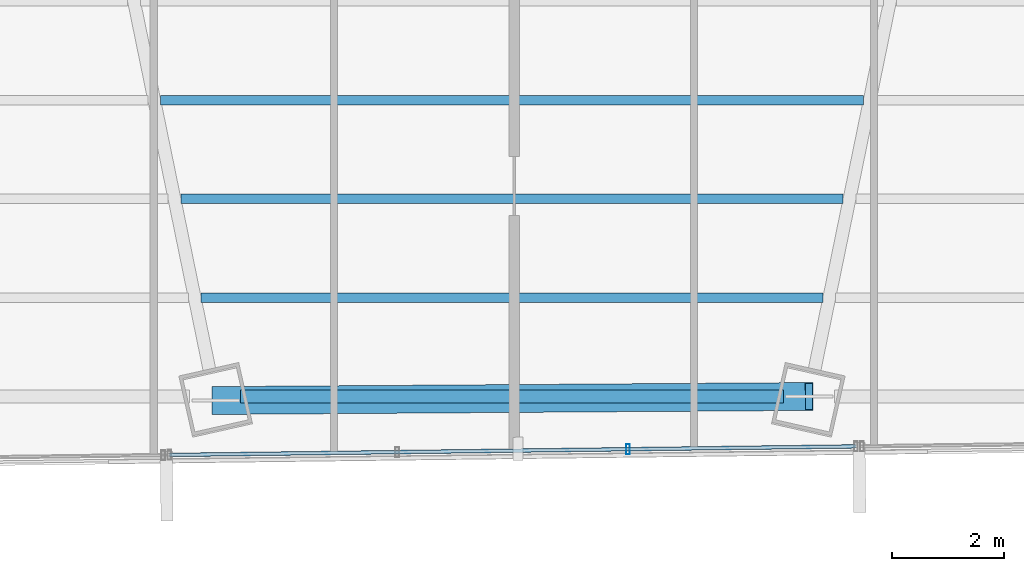
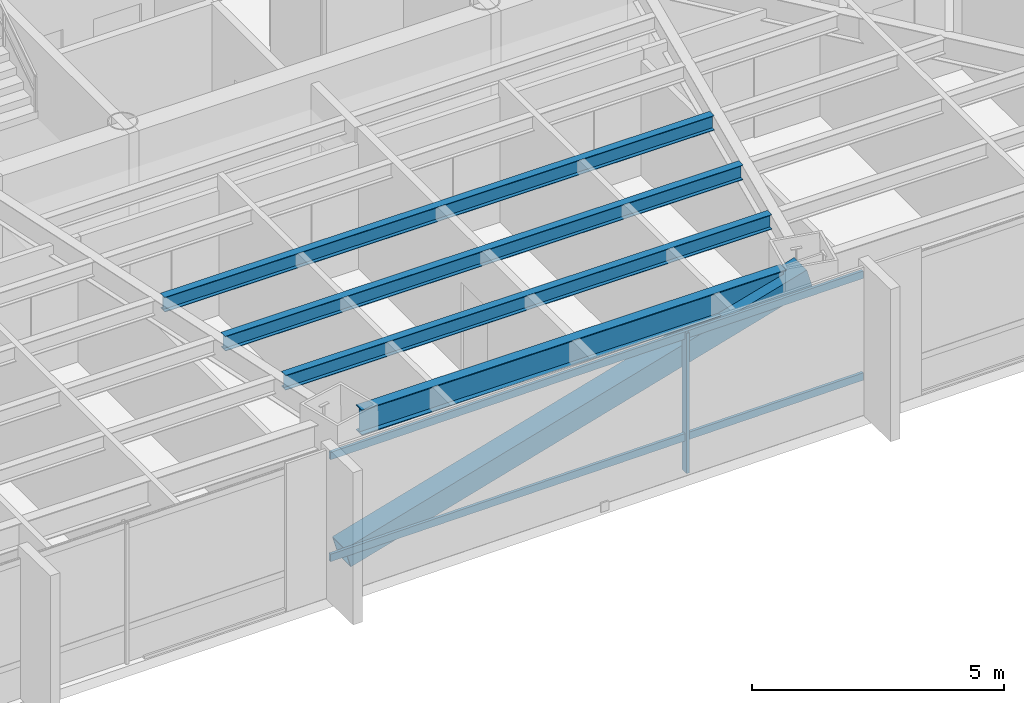
# One storey, part 8 of 35: 4 beams, 4 members, 1 element without a shape of its own.
"""IFC4 building model written with IfcOpenShell, lengths in metres."""

from ifc_helpers import new_model, si_unit, direction, frame, origin, origin_2d, place, context, subcontext, project, spatial, hollow_rectangle, i_section, extrude, source, transform, mapped, material, material_profile, profile_set, type_object, type_shapes, element, aggregate, save


model = new_model("IFC4")

# Units and contexts
model_context = context("Model", 3, precision=1e-05, world=origin(), true_north=direction((0.0, 1.0)))
body_context = subcontext(model_context, "Body", "Model", "MODEL_VIEW")
ifc_project = project(units=[si_unit("LENGTHUNIT", "METRE"), si_unit("AREAUNIT", "SQUARE_METRE"), si_unit("VOLUMEUNIT", "CUBIC_METRE"), si_unit("PLANEANGLEUNIT", "RADIAN"), si_unit("MASSUNIT", "GRAM", prefix="KILO")], contexts=[model_context])

# Site, building, storey
site_placement = place(None, origin())
site = spatial("IfcSite", under=ifc_project, at=site_placement, CompositionType="ELEMENT")
building_placement = place(site_placement, origin())
building = spatial("IfcBuilding", under=site, at=building_placement, Name="Caelisora Broadcast Tower", CompositionType="ELEMENT")
storey_placement = place(building_placement, frame((0.0, 0.0, 123.64990234375)))
storey = spatial("IfcBuildingStorey", under=building, at=storey_placement, Name="L32", CompositionType="ELEMENT", Elevation=123.64990234375)

# Beams
ifc_material_1 = material(Name="Steel Grade 350 (AS/NZS 3679.1)", Category="steel")
ifc_material_profile_1 = material_profile(ifc_material_1, i_section(OverallWidth=0.22900390625, OverallDepth=0.611572265625, WebThickness=0.011962890625, FlangeThickness=0.01953125, at=origin_2d()), Name="Steel Grade 350 (AS/NZS 3679.1)")
ifc_profile_set_1 = profile_set([ifc_material_profile_1], Name="Steel Grade 350 (AS/NZS 3679.1)")
beam_type_1 = type_object("IfcBeamType", Name="PG03", PredefinedType="BEAM", material=ifc_profile_set_1)
shared_shape_1 = source(origin(), body_context, "Body", "SweptSolid", [
    extrude(i_section(OverallWidth=0.22900390625, OverallDepth=0.611572265625, WebThickness=0.011962890625, FlangeThickness=0.01953125, at=origin_2d()), origin(), (0.0, 0.0, 1.0), 9.72998046875),
])
type_shapes(beam_type_1, [shared_shape_1])
beam_1_placement = place(storey_placement, frame((33.135009765625, 6.77490234375, 3.09423828125), z_axis=(1.0, 0.0, 0.0), x_axis=(0.0, 1.0, 0.0)))
element("IfcBeam", 1, at=beam_1_placement, inside=storey, type_object=beam_type_1, Name="L32 beam PG03", PredefinedType="BEAM", context=body_context, shape_type="MappedRepresentation", body=[
    mapped(shared_shape_1, transform((0.0, 0.0, 0.0), scale=1.0)),
])
ifc_material_profile_2 = material_profile(ifc_material_1, i_section(OverallWidth=0.172119140625, OverallDepth=0.358642578125, WebThickness=0.008056640625, FlangeThickness=0.012939453125, at=origin_2d()), Name="Steel Grade 350 (AS/NZS 3679.1)")
ifc_profile_set_2 = profile_set([ifc_material_profile_2], Name="Steel Grade 350 (AS/NZS 3679.1)")
beam_type_2 = type_object("IfcBeamType", Name="SB02", PredefinedType="JOIST", material=ifc_profile_set_2)
shared_shape_2 = source(origin(), body_context, "Body", "SweptSolid", [
    extrude(i_section(OverallWidth=0.172119140625, OverallDepth=0.358642578125, WebThickness=0.008056640625, FlangeThickness=0.012939453125, at=origin_2d()), origin(), (0.0, 0.0, 1.0), 12.59814453125),
])
beam_2_placement = place(storey_placement, frame((31.700927734375, 12.08740234375, 3.220703125), z_axis=(1.0, 0.0, 0.0), x_axis=(0.0, 1.0, 0.0)))
element("IfcBeam", 2, at=beam_2_placement, inside=storey, type_object=beam_type_2, Name="L32 beam SB02", PredefinedType="JOIST", context=body_context, shape_type="MappedRepresentation", body=[
    mapped(shared_shape_2, transform((0.0, 0.0, 0.0), scale=1.0)),
])
shared_shape_3 = source(origin(), body_context, "Body", "SweptSolid", [
    extrude(i_section(OverallWidth=0.172119140625, OverallDepth=0.358642578125, WebThickness=0.008056640625, FlangeThickness=0.012939453125, at=origin_2d()), origin(), (0.0, 0.0, 1.0), 11.873046875),
])
beam_3_placement = place(storey_placement, frame((32.0634765625, 10.31640625, 3.220703125), z_axis=(1.0, 0.0, 0.0), x_axis=(0.0, 1.0, 0.0)))
element("IfcBeam", 3, at=beam_3_placement, inside=storey, type_object=beam_type_2, Name="L32 beam SB02", PredefinedType="JOIST", context=body_context, shape_type="MappedRepresentation", body=[
    mapped(shared_shape_3, transform((0.0, 0.0, 0.0), scale=1.0)),
])
shared_shape_4 = source(origin(), body_context, "Body", "SweptSolid", [
    extrude(i_section(OverallWidth=0.172119140625, OverallDepth=0.358642578125, WebThickness=0.008056640625, FlangeThickness=0.012939453125, at=origin_2d()), origin(), (0.0, 0.0, 1.0), 11.1484375),
])
type_shapes(beam_type_2, [shared_shape_2, shared_shape_3, shared_shape_4])
beam_4_placement = place(storey_placement, frame((32.42578125, 8.545654296875, 3.220703125), z_axis=(1.0, 0.0, 0.0), x_axis=(0.0, 1.0, 0.0)))
element("IfcBeam", 4, at=beam_4_placement, inside=storey, type_object=beam_type_2, Name="L32 beam SB02", PredefinedType="JOIST", context=body_context, shape_type="MappedRepresentation", body=[
    mapped(shared_shape_4, transform((0.0, 0.0, 0.0), scale=1.0)),
])

# Member
ifc_material_2 = material(Name="Steel Grade 450 L15 (AS/NZS 3678)", Category="steel")
ifc_material_profile_3 = material_profile(ifc_material_2, hollow_rectangle(XDim=0.5, YDim=0.5, WallThickness=0.02001953125, at=origin_2d()), Name="Steel Grade 450 L15 (AS/NZS 3678)")
ifc_profile_set_3 = profile_set([ifc_material_profile_3], Name="Steel Grade 450 L15 (AS/NZS 3678)")
member_type_1 = type_object("IfcMemberType", Name="BR02", PredefinedType="BRACE", material=ifc_profile_set_3)
shared_shape_5 = source(origin(), body_context, "Body", "SweptSolid", [
    extrude(hollow_rectangle(XDim=0.5, YDim=0.5, WallThickness=0.02001953125, at=origin_2d()), origin(), (0.0, 0.0, 1.0), 11.048828125),
])
type_shapes(member_type_1, [shared_shape_5])
member_1_placement = place(storey_placement, frame((32.69140625, 6.702392578125, 0.10009765625), z_axis=(0.96241014848, 0.006562640663, 0.27152097129), x_axis=(-0.006818805998, 0.999976751672, 0.0)))
element("IfcMember", 5, at=member_1_placement, inside=storey, type_object=member_type_1, Name="L32 perimeter brace BR02", PredefinedType="BRACE", context=body_context, shape_type="MappedRepresentation", body=[
    mapped(shared_shape_5, transform((0.0, 0.0, 0.0), scale=1.0)),
])

# Curtain wall, members
ifc_material_3 = material(Name="Unitised Aluminium Insulated Shadow-Box Spandrel Curtain Wall", Category="aluminium")
curtain_wall_type = type_object("IfcCurtainWallType", Name="CW-SP1", PredefinedType="NOTDEFINED", material=ifc_material_3)
curtain_wall_placement = place(storey_placement, origin())
curtain_wall = element("IfcCurtainWall", 6, at=curtain_wall_placement, inside=storey, type_object=curtain_wall_type, Name="L32 curtain wall CW-SP1", PredefinedType="NOTDEFINED")
ifc_material_4 = material(Name="Aluminium 6063-T6 Anodised Terracotta Bronze", Category="aluminium")
ifc_material_profile_4 = material_profile(ifc_material_4, hollow_rectangle(XDim=0.06494140625, YDim=0.179931640625, WallThickness=0.00341796875, at=origin_2d()), Name="Aluminium 6063-T6 Anodised Terracotta Bronze")
ifc_profile_set_4 = profile_set([ifc_material_profile_4], Name="Aluminium 6063-T6 Anodised Terracotta Bronze")
member_type_2 = type_object("IfcMemberType", Name="CWM-02", PredefinedType="MULLION", material=ifc_profile_set_4)
shared_shape_6 = source(origin(), body_context, "Body", "SweptSolid", [
    extrude(hollow_rectangle(XDim=0.06494140625, YDim=0.179931640625, WallThickness=0.00341796875, at=origin_2d()), origin(), (0.0, 0.0, 1.0), 3.400146484375),
])
type_shapes(member_type_2, [shared_shape_6])
member_2_placement = place(storey_placement, frame((40.078857421875, 5.82958984375, 0.0), z_axis=(0.0, 0.0, 1.0), x_axis=(1.0, 0.0, 0.0)))
member_2 = element("IfcMember", 7, at=member_2_placement, type_object=member_type_2, Name="L32-CW-B06 mullion #1", PredefinedType="MULLION", context=body_context, shape_type="MappedRepresentation", body=[
    mapped(shared_shape_6, transform((0.0, 0.0, 0.0), scale=1.0)),
])
ifc_material_profile_5 = material_profile(ifc_material_4, hollow_rectangle(XDim=0.06494140625, YDim=0.179931640625, WallThickness=0.00341796875, at=origin_2d()), Name="Aluminium 6063-T6 Anodised Terracotta Bronze")
ifc_profile_set_5 = profile_set([ifc_material_profile_5], Name="Aluminium 6063-T6 Anodised Terracotta Bronze")
member_type_3 = type_object("IfcMemberType", Name="CWT-01", PredefinedType="USERDEFINED", material=ifc_profile_set_5)
shared_shape_7 = source(origin(), body_context, "Body", "SweptSolid", [
    extrude(hollow_rectangle(XDim=0.06494140625, YDim=0.179931640625, WallThickness=0.00341796875, at=origin_2d()), origin(), (0.0, 0.0, 1.0), 12.306640625),
])
type_shapes(member_type_3, [shared_shape_7])
member_3_placement = place(storey_placement, frame((44.1640625, 5.880615234375, 0.85009765625), z_axis=(-0.999922144272, -0.012478196745, 0.0), x_axis=(0.012478196745, -0.999922144272, 0.0)))
member_3 = element("IfcMember", 8, at=member_3_placement, type_object=member_type_3, Name="L32-CW-B06 transom #1", ObjectType="TRANSOM", PredefinedType="USERDEFINED", context=body_context, shape_type="MappedRepresentation", body=[
    mapped(shared_shape_7, transform((0.0, 0.0, 0.0), scale=1.0)),
])
member_4_placement = place(storey_placement, frame((44.1640625, 5.880615234375, 3.320068359375), z_axis=(-0.999922144272, -0.012478196745, 0.0), x_axis=(0.012478196745, -0.999922144272, 0.0)))
member_4 = element("IfcMember", 9, at=member_4_placement, type_object=member_type_3, Name="L32-CW-B06 transom #2", ObjectType="TRANSOM", PredefinedType="USERDEFINED", context=body_context, shape_type="MappedRepresentation", body=[
    mapped(shared_shape_7, transform((0.0, 0.0, 0.0), scale=1.0)),
])
aggregate(curtain_wall, [member_2, member_3, member_4])

save(model, "model.ifc")
